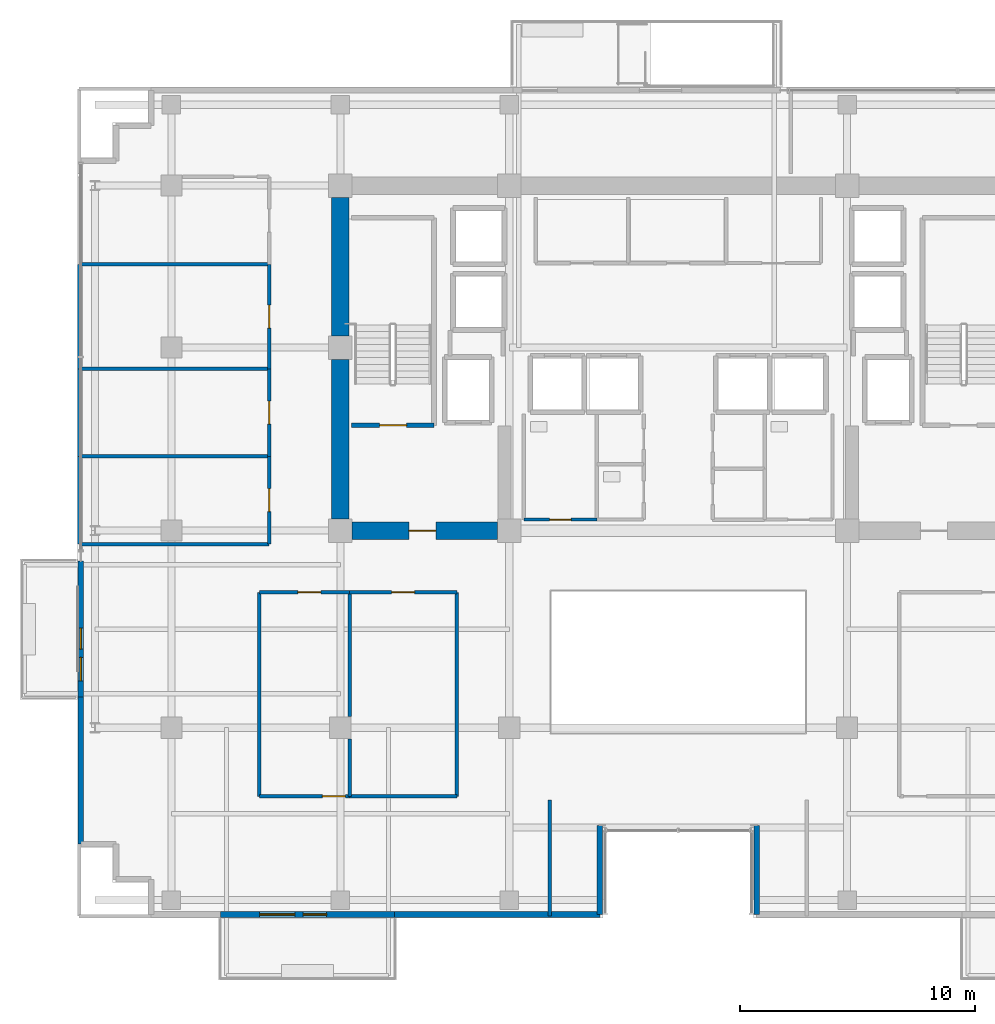
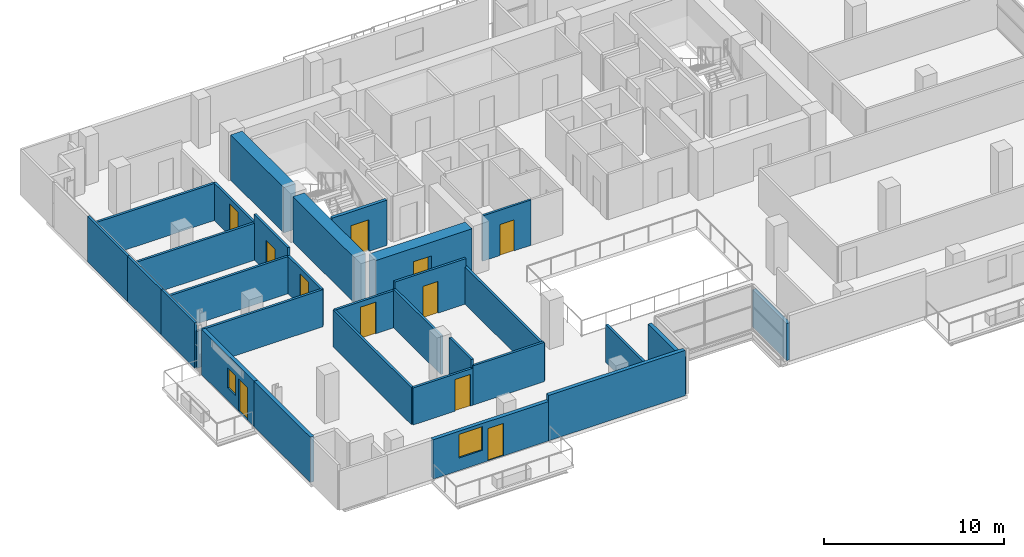
# One storey, part 15 of 23: 30 walls, 11 doors, 2 windows, 13 openings.
"""IFC4 building model written with IfcOpenShell, lengths in metres."""

from ifc_helpers import new_model, si_unit, direction, frame, frame_2d, origin, place, context, subcontext, project, spatial, rectangle, extrude, source, transform, mapped, material, layer, layer_set, type_object, element, fill, save


model = new_model("IFC4")

# Units and contexts
model_context = context("Model", 3, precision=1e-05, world=origin(), true_north=direction((0.0, 1.0)))
body_context = subcontext(model_context, "Body", "Model", "MODEL_VIEW")
ifc_project = project(units=[si_unit("LENGTHUNIT", "METRE"), si_unit("AREAUNIT", "SQUARE_METRE"), si_unit("VOLUMEUNIT", "CUBIC_METRE"), si_unit("PLANEANGLEUNIT", "RADIAN"), si_unit("MASSUNIT", "GRAM", prefix="KILO")], contexts=[model_context])

# Site, building, storey
site_placement = place(None, origin())
site = spatial("IfcSite", under=ifc_project, at=site_placement, CompositionType="ELEMENT")
building_placement = place(site_placement, origin())
building = spatial("IfcBuilding", under=site, at=building_placement, Name="Zarnakvel Exchange Tower", CompositionType="ELEMENT")
storey_placement = place(building_placement, frame((0.0, 0.0, 116.5)))
storey = spatial("IfcBuildingStorey", under=building, at=storey_placement, Name="L32", CompositionType="ELEMENT", Elevation=116.5)

# Walls
ifc_material_1 = material(Name="Concrete C60/75", Category="concrete")
ifc_layer_1 = layer(ifc_material_1, 0.75)
ifc_layer_set_1 = layer_set([ifc_layer_1], Name="Concrete C60/75")
wall_type_1 = type_object("IfcWallType", Name="CW-C3", PredefinedType="SHEAR", material=ifc_layer_set_1)
wall_1_placement = place(storey_placement, frame((-14.39990234375, -0.699951171875, 0.0), z_axis=(0.0, 0.0, 1.0), x_axis=(0.0, 1.0, 0.0)))
element("IfcWall", 1, at=wall_1_placement, inside=storey, type_object=wall_type_1, Name="L32 Rear Core Shear Wall W1 (CW-C3)", PredefinedType="SHEAR", context=body_context, shape_type="SweptSolid", body=[
    extrude(rectangle(XDim=6.800048828125, YDim=0.75, at=frame_2d((3.39990234375, 0.0))), origin(), (0.0, 0.0, 1.0), 3.074951171875),
])
wall_2_placement = place(storey_placement, frame((-14.39990234375, 7.10009765625, 0.0), z_axis=(0.0, 0.0, 1.0), x_axis=(0.0, 1.0, 0.0)))
element("IfcWall", 2, at=wall_2_placement, inside=storey, type_object=wall_type_1, Name="L32 Rear Core Shear Wall W2 (CW-C3)", PredefinedType="SHEAR", context=body_context, shape_type="SweptSolid", body=[
    extrude(rectangle(XDim=5.89990234375, YDim=0.75, at=frame_2d((2.949951171875, 0.0))), origin(), (0.0, 0.0, 1.0), 3.074951171875),
])

# Wall, opening, door
wall_3_placement = place(storey_placement, frame((-7.699951171875, -1.199951171875, 0.0), z_axis=(0.0, 0.0, 1.0), x_axis=(-1.0, 0.0, 0.0)))
wall_3 = element("IfcWall", 3, at=wall_3_placement, inside=storey, type_object=wall_type_1, Name="L32 Rear Core Shear Wall SW (CW-C3)", PredefinedType="SHEAR", context=body_context, shape_type="SweptSolid", body=[
    extrude(rectangle(XDim=6.199951171875, YDim=0.75, at=frame_2d((3.10009765625, 0.0))), origin(), (0.0, 0.0, 1.0), 3.074951171875),
])
opening_1_placement = place(wall_3_placement, frame((2.625, 0.0, 0.0)))
opening_1 = element("IfcOpeningElement", 4, at=opening_1_placement, cuts=wall_3, Name="Opening D-L32-03", PredefinedType="OPENING", context=body_context, shape_type="SweptSolid", body=[
    extrude(rectangle(XDim=1.14990234375, YDim=2.14990234375, at=frame_2d((0.574951171875, 1.074951171875))), frame((0.0, 0.385009765625, 0.0), z_axis=(0.0, -1.0, 0.0), x_axis=(1.0, 0.0, 0.0)), (0.0, 0.0, 1.0), 0.77001953125),
])
ifc_material_2 = material(Name="Painted Galvanised Steel S355", Category="steel")
door_type_1 = type_object("IfcDoorType", Name="DT-04", OperationType="NOTDEFINED", PredefinedType="DOOR", material=ifc_material_2)
shared_shape_1 = source(origin(), body_context, "Body", "SweptSolid", [
    extrude(rectangle(XDim=1.14990234375, YDim=2.14990234375, at=frame_2d((0.574951171875, 1.074951171875))), frame((0.0, 0.02490234375, 0.0), z_axis=(0.0, -1.0, 0.0), x_axis=(1.0, 0.0, 0.0)), (0.0, 0.0, 1.0), 0.050048828125),
])
door_1_placement = place(opening_1_placement, origin())
door_1 = element("IfcDoor", 5, at=door_1_placement, inside=storey, type_object=door_type_1, Name="L32 Firefighting Lobby West Door D-L32-03", OperationType="SINGLE_SWING_LEFT", OverallHeight=2.14990234375, OverallWidth=1.14990234375, PredefinedType="DOOR", context=body_context, shape_type="MappedRepresentation", body=[
    mapped(shared_shape_1, transform((0.0, 0.0, 0.0), x_axis=(1.0, 0.0, 0.0), y_axis=(0.0, 1.0, 0.0), z_axis=(0.0, 0.0, 1.0), scale=1.0)),
])
fill(opening_1, door_1)

# Wall, openings, door, window
ifc_material_3 = material(Name="Precast concrete C40/50", Category="concrete")
ifc_layer_2 = layer(ifc_material_3, 0.239990234375)
ifc_layer_set_2 = layer_set([ifc_layer_2], Name="Precast concrete C40/50")
wall_type_2 = type_object("IfcWallType", Name="EW-02", PredefinedType="SOLIDWALL", material=ifc_layer_set_2)
wall_4_placement = place(storey_placement, frame((-12.10009765625, -17.56005859375, 0.0), z_axis=(0.0, 0.0, 1.0), x_axis=(-1.0, 0.0, 0.0)))
wall_4 = element("IfcWall", 6, at=wall_4_placement, inside=storey, type_object=wall_type_2, Name="L32 Exterior Precast Spandrel Wall EW-BAL-L32-SW (EW-02)", PredefinedType="SOLIDWALL", context=body_context, shape_type="SweptSolid", body=[
    extrude(rectangle(XDim=7.39990234375, YDim=0.239990234375, at=frame_2d((3.699951171875, 0.0))), origin(), (0.0, 0.0, 1.0), 2.6650390625),
])
opening_2_placement = place(wall_4_placement, frame((2.885986328125, 0.0, 0.0)))
opening_2 = element("IfcOpeningElement", 7, at=opening_2_placement, cuts=wall_4, Name="Opening BD-L32-01", PredefinedType="OPENING", context=body_context, shape_type="SweptSolid", body=[
    extrude(rectangle(XDim=1.0, YDim=2.199951171875, at=frame_2d((0.5, 1.10009765625))), frame((0.0, 0.1298828125, 0.0), z_axis=(0.0, -1.0, 0.0), x_axis=(1.0, 0.0, 0.0)), (0.0, 0.0, 1.0), 0.260009765625),
])
opening_3_placement = place(wall_4_placement, frame((4.236083984375, 0.0, 0.85009765625)))
opening_3 = element("IfcOpeningElement", 8, at=opening_3_placement, cuts=wall_4, Name="Opening WN-03", PredefinedType="OPENING", context=body_context, shape_type="SweptSolid", body=[
    extrude(rectangle(XDim=1.5, YDim=1.60009765625, at=frame_2d((0.75, 0.800048828125))), frame((0.0, 0.1298828125, 0.0), z_axis=(0.0, -1.0, 0.0), x_axis=(1.0, 0.0, 0.0)), (0.0, 0.0, 1.0), 0.260009765625),
])
ifc_material_4 = material(Name="Architectural Bronze Anodised Aluminium", Category="aluminium")
door_type_2 = type_object("IfcDoorType", Name="DT-09", OperationType="NOTDEFINED", PredefinedType="DOOR", material=ifc_material_4)
shared_shape_2 = source(origin(), body_context, "Body", "SweptSolid", [
    extrude(rectangle(XDim=1.0, YDim=2.199951171875, at=frame_2d((0.5, 1.10009765625))), frame((0.0, 0.02490234375, 0.0), z_axis=(0.0, -1.0, 0.0), x_axis=(1.0, 0.0, 0.0)), (0.0, 0.0, 1.0), 0.050048828125),
])
door_2_placement = place(opening_2_placement, origin())
door_2 = element("IfcDoor", 9, at=door_2_placement, inside=storey, type_object=door_type_2, Name="L32 Planted Loggia Balcony Door BD-L32-01", OperationType="SINGLE_SWING_RIGHT", OverallHeight=2.199951171875, OverallWidth=1.0, PredefinedType="DOOR", context=body_context, shape_type="MappedRepresentation", body=[
    mapped(shared_shape_2, transform((0.0, 0.0, 0.0), x_axis=(1.0, 0.0, 0.0), y_axis=(0.0, 1.0, 0.0), z_axis=(0.0, 0.0, 1.0), scale=1.0)),
])
fill(opening_2, door_2)
ifc_material_5 = material(Name="Double Low-E Laminated Vision Glass", Category="glass")
window_type_1 = type_object("IfcWindowType", Name="WN-03", PartitioningType="SINGLE_PANEL", PredefinedType="WINDOW", material=ifc_material_5)
shared_shape_3 = source(origin(), body_context, "Body", "SweptSolid", [
    extrude(rectangle(XDim=1.5, YDim=1.60009765625, at=frame_2d((0.75, 0.800048828125))), frame((0.0, 0.030029296875, 0.0), z_axis=(0.0, -1.0, 0.0), x_axis=(1.0, 0.0, 0.0)), (0.0, 0.0, 1.0), 0.06005859375),
])
window_1_placement = place(opening_3_placement, origin())
window_1 = element("IfcWindow", 10, at=window_1_placement, inside=storey, type_object=window_type_1, Name="L32 Loggia Daylight Window (WN-03)", OverallHeight=1.60009765625, OverallWidth=1.5, PartitioningType="SINGLE_PANEL", PredefinedType="WINDOW", context=body_context, shape_type="MappedRepresentation", body=[
    mapped(shared_shape_3, transform((0.0, 0.0, 0.0), x_axis=(1.0, 0.0, 0.0), y_axis=(0.0, 1.0, 0.0), z_axis=(0.0, 0.0, 1.0), scale=1.0)),
])
fill(opening_3, window_1)

wall_5_placement = place(storey_placement, frame((-25.4599609375, -8.300048828125, 0.0), z_axis=(0.0, 0.0, 1.0), x_axis=(0.0, 1.0, 0.0)))
wall_5 = element("IfcWall", 11, at=wall_5_placement, inside=storey, type_object=wall_type_2, Name="L32 Exterior Precast Spandrel Wall EW-BAL-L32-W (EW-02)", PredefinedType="SOLIDWALL", context=body_context, shape_type="SweptSolid", body=[
    extrude(rectangle(XDim=5.800048828125, YDim=0.239990234375, at=frame_2d((2.89990234375, 0.0))), origin(), (0.0, 0.0, 1.0), 3.074951171875),
])
opening_4_placement = place(wall_5_placement, frame((0.696044921875, 0.0, 0.0)))
opening_4 = element("IfcOpeningElement", 12, at=opening_4_placement, cuts=wall_5, Name="Opening BD-L32-03", PredefinedType="OPENING", context=body_context, shape_type="SweptSolid", body=[
    extrude(rectangle(XDim=1.0, YDim=2.199951171875, at=frame_2d((0.5, 1.10009765625))), frame((0.0, 0.1298828125, 0.0), z_axis=(0.0, -1.0, 0.0), x_axis=(1.0, 0.0, 0.0)), (0.0, 0.0, 1.0), 0.260009765625),
])
opening_5_placement = place(wall_5_placement, frame((2.0458984375, 0.0, 0.85009765625)))
opening_5 = element("IfcOpeningElement", 13, at=opening_5_placement, cuts=wall_5, Name="Opening WN-06", PredefinedType="OPENING", context=body_context, shape_type="SweptSolid", body=[
    extrude(rectangle(XDim=0.89990234375, YDim=1.35009765625, at=frame_2d((0.449951171875, 0.675048828125))), frame((0.0, 0.1298828125, 0.0), z_axis=(0.0, -1.0, 0.0), x_axis=(1.0, 0.0, 0.0)), (0.0, 0.0, 1.0), 0.260009765625),
])
door_3_placement = place(opening_4_placement, origin())
door_3 = element("IfcDoor", 14, at=door_3_placement, inside=storey, type_object=door_type_2, Name="L32 Planted Loggia Balcony Door BD-L32-03", OperationType="SINGLE_SWING_RIGHT", OverallHeight=2.199951171875, OverallWidth=1.0, PredefinedType="DOOR", context=body_context, shape_type="MappedRepresentation", body=[
    mapped(shared_shape_2, transform((0.0, 0.0, 0.0), x_axis=(1.0, 0.0, 0.0), y_axis=(0.0, 1.0, 0.0), z_axis=(0.0, 0.0, 1.0), scale=1.0)),
])
fill(opening_4, door_3)
window_type_2 = type_object("IfcWindowType", Name="WN-06", PartitioningType="SINGLE_PANEL", PredefinedType="WINDOW", material=ifc_material_5)
shared_shape_4 = source(origin(), body_context, "Body", "SweptSolid", [
    extrude(rectangle(XDim=0.89990234375, YDim=1.35009765625, at=frame_2d((0.449951171875, 0.675048828125))), frame((0.0, 0.030029296875, 0.0), z_axis=(0.0, -1.0, 0.0), x_axis=(1.0, 0.0, 0.0)), (0.0, 0.0, 1.0), 0.06005859375),
])
window_2_placement = place(opening_5_placement, origin())
window_2 = element("IfcWindow", 15, at=window_2_placement, inside=storey, type_object=window_type_2, Name="L32 Loggia Daylight Window (WN-06)", OverallHeight=1.35009765625, OverallWidth=0.89990234375, PartitioningType="SINGLE_PANEL", PredefinedType="WINDOW", context=body_context, shape_type="MappedRepresentation", body=[
    mapped(shared_shape_4, transform((0.0, 0.0, 0.0), x_axis=(1.0, 0.0, 0.0), y_axis=(0.0, 1.0, 0.0), z_axis=(0.0, 0.0, 1.0), scale=1.0)),
])
fill(opening_5, window_2)

# Walls
wall_6_placement = place(storey_placement, frame((-25.4599609375, -8.300048828125, 0.0), z_axis=(0.0, 0.0, 1.0), x_axis=(0.0, -1.0, 0.0)))
element("IfcWall", 16, at=wall_6_placement, inside=storey, type_object=wall_type_2, Name="L32 Exterior Precast Spandrel Wall EWC-L32-01 (EW-02)", PredefinedType="SOLIDWALL", context=body_context, shape_type="SweptSolid", body=[
    extrude(rectangle(XDim=6.260009765625, YDim=0.239990234375, at=frame_2d((3.1298828125, 0.0))), origin(), (0.0, 0.0, 1.0), 3.074951171875),
])
for number, where, z_axis, x_axis, name in (
    (17, (3.340087890625, -13.760009765625, 0.0), (0.0, 0.0, 1.0), (0.0, -1.0, 0.0), "L32 Exterior Precast Spandrel Wall EWC-L32-19 (EW-02)"),
    (18, (-3.340087890625, -17.56005859375, 0.0), (0.0, 0.0, 1.0), (0.0, 1.0, 0.0), "L32 Exterior Precast Spandrel Wall EWC-L32-22 (EW-02)"),
):
    element("IfcWall", number, at=place(storey_placement, frame(where, z_axis=z_axis, x_axis=x_axis)), inside=storey, type_object=wall_type_2, Name=name, PredefinedType="SOLIDWALL", context=body_context, shape_type="SweptSolid", body=[
        extrude(rectangle(XDim=3.800048828125, YDim=0.239990234375, at=frame_2d((1.89990234375, 0.0))), origin(), (0.0, 0.0, 1.0), 2.514892578125),
    ])
wall_7_placement = place(storey_placement, frame((-12.10009765625, -17.56005859375, 0.0), z_axis=(0.0, 0.0, 1.0), x_axis=(1.0, 0.0, 0.0)))
element("IfcWall", 19, at=wall_7_placement, inside=storey, type_object=wall_type_2, Name="L32 Exterior Precast Spandrel Wall EWC-L32-23 (EW-02)", PredefinedType="SOLIDWALL", context=body_context, shape_type="SweptSolid", body=[
    extrude(rectangle(XDim=8.760009765625, YDim=0.239990234375, at=frame_2d((4.3798828125, 0.0))), origin(), (0.0, 0.0, 1.0), 3.074951171875),
])

# Wall, opening, door
ifc_material_6 = material(Name="Fire-Rated Gypsum Stud Partition", Category="gypsum")
ifc_layer_3 = layer(ifc_material_6, 0.14990234375)
ifc_layer_set_3 = layer_set([ifc_layer_3], Name="Fire-Rated Gypsum Stud Partition")
wall_type_3 = type_object("IfcWallType", Name="PT-01", PredefinedType="PARTITIONING", material=ifc_layer_set_3)
wall_8_placement = place(storey_placement, frame((-14.007080078125, -12.52001953125, 0.0), z_axis=(0.0, 0.0, 1.0), x_axis=(-1.0, 0.0, 0.0)))
wall_8 = element("IfcWall", 20, at=wall_8_placement, inside=storey, type_object=wall_type_3, Name="L32 Partition Wall PWALL-L32-033 (PT-01)", PredefinedType="PARTITIONING", context=body_context, shape_type="SweptSolid", body=[
    extrude(rectangle(XDim=3.8408203125, YDim=0.14990234375, at=frame_2d((1.92041015625, 0.0))), origin(), (0.0, 0.0, 1.0), 2.514892578125),
])
opening_6_placement = place(wall_8_placement, frame((0.179931640625, 0.0, 0.0)))
opening_6 = element("IfcOpeningElement", 21, at=opening_6_placement, cuts=wall_8, Name="Opening D-L32-16", PredefinedType="OPENING", context=body_context, shape_type="SweptSolid", body=[
    extrude(rectangle(XDim=0.97998046875, YDim=2.14990234375, at=frame_2d((0.489990234375, 1.074951171875))), frame((0.0, 0.0849609375, 0.0), z_axis=(0.0, -1.0, 0.0), x_axis=(1.0, 0.0, 0.0)), (0.0, 0.0, 1.0), 0.169921875),
])
ifc_material_7 = material(Name="Timber Acoustic Veneer", Category="wood")
door_type_3 = type_object("IfcDoorType", Name="DT-05", OperationType="NOTDEFINED", PredefinedType="DOOR", material=ifc_material_7)
shared_shape_5 = source(origin(), body_context, "Body", "SweptSolid", [
    extrude(rectangle(XDim=0.97998046875, YDim=2.14990234375, at=frame_2d((0.489990234375, 1.074951171875))), frame((0.0, 0.02490234375, 0.0), z_axis=(0.0, -1.0, 0.0), x_axis=(1.0, 0.0, 0.0)), (0.0, 0.0, 1.0), 0.050048828125),
])
door_4_placement = place(opening_6_placement, origin())
door_4 = element("IfcDoor", 22, at=door_4_placement, inside=storey, type_object=door_type_3, Name="L32 Commodities Dealing Room Door D-L32-16", OperationType="SINGLE_SWING_RIGHT", OverallHeight=2.14990234375, OverallWidth=0.97998046875, PredefinedType="DOOR", context=body_context, shape_type="MappedRepresentation", body=[
    mapped(shared_shape_5, transform((0.0, 0.0, 0.0), x_axis=(1.0, 0.0, 0.0), y_axis=(0.0, 1.0, 0.0), z_axis=(0.0, 0.0, 1.0), scale=1.0)),
])
fill(opening_6, door_4)

wall_9_placement = place(storey_placement, frame((-17.847900390625, -3.830078125, 0.0), z_axis=(0.0, 0.0, 1.0), x_axis=(1.0, 0.0, 0.0)))
wall_9 = element("IfcWall", 23, at=wall_9_placement, inside=storey, type_object=wall_type_3, Name="L32 Partition Wall PWALL-L32-034 (PT-01)", PredefinedType="PARTITIONING", context=body_context, shape_type="SweptSolid", body=[
    extrude(rectangle(XDim=3.8408203125, YDim=0.14990234375, at=frame_2d((1.92041015625, 0.0))), origin(), (0.0, 0.0, 1.0), 2.514892578125),
])
opening_7_placement = place(wall_9_placement, frame((1.638916015625, 0.0, 0.0)))
opening_7 = element("IfcOpeningElement", 24, at=opening_7_placement, cuts=wall_9, Name="Opening D-L32-14", PredefinedType="OPENING", context=body_context, shape_type="SweptSolid", body=[
    extrude(rectangle(XDim=0.97998046875, YDim=2.14990234375, at=frame_2d((0.489990234375, 1.074951171875))), frame((0.0, 0.0849609375, 0.0), z_axis=(0.0, -1.0, 0.0), x_axis=(1.0, 0.0, 0.0)), (0.0, 0.0, 1.0), 0.169921875),
])
door_5_placement = place(opening_7_placement, origin())
door_5 = element("IfcDoor", 25, at=door_5_placement, inside=storey, type_object=door_type_3, Name="L32 Seminar Room Door D-L32-14", OperationType="SINGLE_SWING_RIGHT", OverallHeight=2.14990234375, OverallWidth=0.97998046875, PredefinedType="DOOR", context=body_context, shape_type="MappedRepresentation", body=[
    mapped(shared_shape_5, transform((0.0, 0.0, 0.0), x_axis=(1.0, 0.0, 0.0), y_axis=(0.0, 1.0, 0.0), z_axis=(0.0, 0.0, 1.0), scale=1.0)),
])
fill(opening_7, door_5)

# Walls
wall_10_placement = place(storey_placement, frame((-17.847900390625, -12.52001953125, 0.0), z_axis=(0.0, 0.0, 1.0), x_axis=(0.0, 1.0, 0.0)))
element("IfcWall", 26, at=wall_10_placement, inside=storey, type_object=wall_type_3, Name="L32 Partition Wall PWALL-L32-035 (PT-01)", PredefinedType="PARTITIONING", context=body_context, shape_type="SweptSolid", body=[
    extrude(rectangle(XDim=8.68994140625, YDim=0.14990234375, at=frame_2d((4.344970703125, 0.0))), origin(), (0.0, 0.0, 1.0), 2.514892578125),
])
wall_11_placement = place(storey_placement, frame((-14.007080078125, -3.830078125, 0.0), z_axis=(0.0, 0.0, 1.0), x_axis=(0.0, -1.0, 0.0)))
element("IfcWall", 27, at=wall_11_placement, inside=storey, type_object=wall_type_3, Name="L32 Partition Wall PWALL-L32-036 (PT-01)", PredefinedType="PARTITIONING", context=body_context, shape_type="SweptSolid", body=[
    extrude(rectangle(XDim=5.2998046875, YDim=0.14990234375, at=frame_2d((2.64990234375, 0.0))), origin(), (0.0, 0.0, 1.0), 2.614990234375),
])
wall_12_placement = place(storey_placement, frame((-9.429931640625, -12.52001953125, 0.0), z_axis=(0.0, 0.0, 1.0), x_axis=(-1.0, 0.0, 0.0)))
element("IfcWall", 28, at=wall_12_placement, inside=storey, type_object=wall_type_3, Name="L32 Partition Wall PWALL-L32-037 (PT-01)", PredefinedType="PARTITIONING", context=body_context, shape_type="SweptSolid", body=[
    extrude(rectangle(XDim=4.5771484375, YDim=0.14990234375, at=frame_2d((2.28857421875, 0.0))), origin(), (0.0, 0.0, 1.0), 2.6650390625),
])

# Wall, opening, door
wall_13_placement = place(storey_placement, frame((-14.007080078125, -3.830078125, 0.0), z_axis=(0.0, 0.0, 1.0), x_axis=(1.0, 0.0, 0.0)))
wall_13 = element("IfcWall", 29, at=wall_13_placement, inside=storey, type_object=wall_type_3, Name="L32 Partition Wall PWALL-L32-038 (PT-01)", PredefinedType="PARTITIONING", context=body_context, shape_type="SweptSolid", body=[
    extrude(rectangle(XDim=4.5771484375, YDim=0.14990234375, at=frame_2d((2.28857421875, 0.0))), origin(), (0.0, 0.0, 1.0), 3.074951171875),
])
opening_8_placement = place(wall_13_placement, frame((1.799072265625, 0.0, 0.0)))
opening_8 = element("IfcOpeningElement", 30, at=opening_8_placement, cuts=wall_13, Name="Opening D-L32-15", PredefinedType="OPENING", context=body_context, shape_type="SweptSolid", body=[
    extrude(rectangle(XDim=0.97998046875, YDim=2.14990234375, at=frame_2d((0.489990234375, 1.074951171875))), frame((0.0, 0.0849609375, 0.0), z_axis=(0.0, -1.0, 0.0), x_axis=(1.0, 0.0, 0.0)), (0.0, 0.0, 1.0), 0.169921875),
])
door_6_placement = place(opening_8_placement, origin())
door_6 = element("IfcDoor", 31, at=door_6_placement, inside=storey, type_object=door_type_3, Name="L32 Boardroom Door D-L32-15", OperationType="SINGLE_SWING_LEFT", OverallHeight=2.14990234375, OverallWidth=0.97998046875, PredefinedType="DOOR", context=body_context, shape_type="MappedRepresentation", body=[
    mapped(shared_shape_5, transform((0.0, 0.0, 0.0), x_axis=(1.0, 0.0, 0.0), y_axis=(0.0, 1.0, 0.0), z_axis=(0.0, 0.0, 1.0), scale=1.0)),
])
fill(opening_8, door_6)

# Walls
wall_14_placement = place(storey_placement, frame((-14.007080078125, -12.52001953125, 0.0), z_axis=(0.0, 0.0, 1.0), x_axis=(0.0, 1.0, 0.0)))
element("IfcWall", 32, at=wall_14_placement, inside=storey, type_object=wall_type_3, Name="L32 Partition Wall PWALL-L32-039 (PT-01)", PredefinedType="PARTITIONING", context=body_context, shape_type="SweptSolid", body=[
    extrude(rectangle(XDim=2.449951171875, YDim=0.14990234375, at=frame_2d((1.22509765625, 0.0))), origin(), (0.0, 0.0, 1.0), 3.074951171875),
])
wall_15_placement = place(storey_placement, frame((-9.429931640625, -3.830078125, 0.0), z_axis=(0.0, 0.0, 1.0), x_axis=(0.0, -1.0, 0.0)))
element("IfcWall", 33, at=wall_15_placement, inside=storey, type_object=wall_type_3, Name="L32 Partition Wall PWALL-L32-040 (PT-01)", PredefinedType="PARTITIONING", context=body_context, shape_type="SweptSolid", body=[
    extrude(rectangle(XDim=8.68994140625, YDim=0.14990234375, at=frame_2d((4.344970703125, 0.0))), origin(), (0.0, 0.0, 1.0), 2.514892578125),
])
wall_16_placement = place(storey_placement, frame((-5.47998046875, -12.679931640625, 0.0), z_axis=(0.0, 0.0, 1.0), x_axis=(0.0, -1.0, 0.0)))
element("IfcWall", 34, at=wall_16_placement, inside=storey, type_object=wall_type_3, Name="L32 Partition Wall PWALL-L32-043 (PT-01)", PredefinedType="PARTITIONING", context=body_context, shape_type="SweptSolid", body=[
    extrude(rectangle(XDim=4.949951171875, YDim=0.14990234375, at=frame_2d((2.47509765625, 0.0))), origin(), (0.0, 0.0, 1.0), 2.56494140625),
])
for number, where, z_axis, x_axis, name in (
    (35, (-17.429931640625, -1.77001953125, 0.0), (0.0, 0.0, 1.0), (-1.0, 0.0, 0.0), "L32 Partition Wall PWALL-L32-051 (PT-01)"),
    (36, (-25.530029296875, 1.9638671875, 0.0), (0.0, 0.0, 1.0), (1.0, 0.0, 0.0), "L32 Partition Wall PWALL-L32-052 (PT-01)"),
):
    element("IfcWall", number, at=place(storey_placement, frame(where, z_axis=z_axis, x_axis=x_axis)), inside=storey, type_object=wall_type_3, Name=name, PredefinedType="PARTITIONING", context=body_context, shape_type="SweptSolid", body=[
        extrude(rectangle(XDim=8.10009765625, YDim=0.14990234375, at=frame_2d((4.050048828125, 0.0))), origin(), (0.0, 0.0, 1.0), 2.514892578125),
    ])
wall_17_placement = place(storey_placement, frame((-25.530029296875, -1.77001953125, 0.0), z_axis=(0.0, 0.0, 1.0), x_axis=(0.0, 1.0, 0.0)))
element("IfcWall", 37, at=wall_17_placement, inside=storey, type_object=wall_type_3, Name="L32 Partition Wall PWALL-L32-053 (PT-01)", PredefinedType="PARTITIONING", context=body_context, shape_type="SweptSolid", body=[
    extrude(rectangle(XDim=3.73388671875, YDim=0.14990234375, at=frame_2d((1.866943359375, 0.0))), origin(), (0.0, 0.0, 1.0), 3.074951171875),
])

# Wall, opening, door
wall_18_placement = place(storey_placement, frame((-17.429931640625, 1.9638671875, 0.0), z_axis=(0.0, 0.0, 1.0), x_axis=(0.0, -1.0, 0.0)))
wall_18 = element("IfcWall", 38, at=wall_18_placement, inside=storey, type_object=wall_type_3, Name="L32 Partition Wall PWALL-L32-054 (PT-01)", PredefinedType="PARTITIONING", context=body_context, shape_type="SweptSolid", body=[
    extrude(rectangle(XDim=3.73388671875, YDim=0.14990234375, at=frame_2d((1.866943359375, 0.0))), origin(), (0.0, 0.0, 1.0), 2.514892578125),
])
opening_9_placement = place(wall_18_placement, frame((1.376708984375, 0.0, 0.0)))
opening_9 = element("IfcOpeningElement", 39, at=opening_9_placement, cuts=wall_18, Name="Opening D-L32-19", PredefinedType="OPENING", context=body_context, shape_type="SweptSolid", body=[
    extrude(rectangle(XDim=0.97998046875, YDim=2.14990234375, at=frame_2d((0.489990234375, 1.074951171875))), frame((0.0, 0.0849609375, 0.0), z_axis=(0.0, -1.0, 0.0), x_axis=(1.0, 0.0, 0.0)), (0.0, 0.0, 1.0), 0.169921875),
])
door_7_placement = place(opening_9_placement, origin())
door_7 = element("IfcDoor", 40, at=door_7_placement, inside=storey, type_object=door_type_3, Name="L32 Boardroom Door D-L32-19", OperationType="SINGLE_SWING_LEFT", OverallHeight=2.14990234375, OverallWidth=0.97998046875, PredefinedType="DOOR", context=body_context, shape_type="MappedRepresentation", body=[
    mapped(shared_shape_5, transform((0.0, 0.0, 0.0), x_axis=(1.0, 0.0, 0.0), y_axis=(0.0, 1.0, 0.0), z_axis=(0.0, 0.0, 1.0), scale=1.0)),
])
fill(opening_9, door_7)

# Walls
wall_19_placement = place(storey_placement, frame((-25.530029296875, 5.697509765625, 0.0), z_axis=(0.0, 0.0, 1.0), x_axis=(1.0, 0.0, 0.0)))
element("IfcWall", 41, at=wall_19_placement, inside=storey, type_object=wall_type_3, Name="L32 Partition Wall PWALL-L32-055 (PT-01)", PredefinedType="PARTITIONING", context=body_context, shape_type="SweptSolid", body=[
    extrude(rectangle(XDim=8.10009765625, YDim=0.14990234375, at=frame_2d((4.050048828125, 0.0))), origin(), (0.0, 0.0, 1.0), 2.514892578125),
])
wall_20_placement = place(storey_placement, frame((-25.530029296875, 1.9638671875, 0.0), z_axis=(0.0, 0.0, 1.0), x_axis=(0.0, 1.0, 0.0)))
element("IfcWall", 42, at=wall_20_placement, inside=storey, type_object=wall_type_3, Name="L32 Partition Wall PWALL-L32-056 (PT-01)", PredefinedType="PARTITIONING", context=body_context, shape_type="SweptSolid", body=[
    extrude(rectangle(XDim=3.733642578125, YDim=0.14990234375, at=frame_2d((1.86669921875, 0.0))), origin(), (0.0, 0.0, 1.0), 3.074951171875),
])

# Wall, opening, door
wall_21_placement = place(storey_placement, frame((-17.429931640625, 5.697509765625, 0.0), z_axis=(0.0, 0.0, 1.0), x_axis=(0.0, -1.0, 0.0)))
wall_21 = element("IfcWall", 43, at=wall_21_placement, inside=storey, type_object=wall_type_3, Name="L32 Partition Wall PWALL-L32-057 (PT-01)", PredefinedType="PARTITIONING", context=body_context, shape_type="SweptSolid", body=[
    extrude(rectangle(XDim=3.733642578125, YDim=0.14990234375, at=frame_2d((1.86669921875, 0.0))), origin(), (0.0, 0.0, 1.0), 3.074951171875),
])
opening_10_placement = place(wall_21_placement, frame((1.376708984375, 0.0, 0.0)))
opening_10 = element("IfcOpeningElement", 44, at=opening_10_placement, cuts=wall_21, Name="Opening D-L32-20", PredefinedType="OPENING", context=body_context, shape_type="SweptSolid", body=[
    extrude(rectangle(XDim=0.97998046875, YDim=2.14990234375, at=frame_2d((0.489990234375, 1.074951171875))), frame((0.0, 0.0849609375, 0.0), z_axis=(0.0, -1.0, 0.0), x_axis=(1.0, 0.0, 0.0)), (0.0, 0.0, 1.0), 0.169921875),
])
door_8_placement = place(opening_10_placement, origin())
door_8 = element("IfcDoor", 45, at=door_8_placement, inside=storey, type_object=door_type_3, Name="L32 Tea Pantry Door D-L32-20", OperationType="SINGLE_SWING_RIGHT", OverallHeight=2.14990234375, OverallWidth=0.97998046875, PredefinedType="DOOR", context=body_context, shape_type="MappedRepresentation", body=[
    mapped(shared_shape_5, transform((0.0, 0.0, 0.0), x_axis=(1.0, 0.0, 0.0), y_axis=(0.0, 1.0, 0.0), z_axis=(0.0, 0.0, 1.0), scale=1.0)),
])
fill(opening_10, door_8)

# Walls
wall_22_placement = place(storey_placement, frame((-25.530029296875, 10.146240234375, 0.0), z_axis=(0.0, 0.0, 1.0), x_axis=(1.0, 0.0, 0.0)))
element("IfcWall", 46, at=wall_22_placement, inside=storey, type_object=wall_type_3, Name="L32 Partition Wall PWALL-L32-058 (PT-01)", PredefinedType="PARTITIONING", context=body_context, shape_type="SweptSolid", body=[
    extrude(rectangle(XDim=8.10009765625, YDim=0.14990234375, at=frame_2d((4.050048828125, 0.0))), origin(), (0.0, 0.0, 1.0), 2.514892578125),
])
wall_23_placement = place(storey_placement, frame((-25.530029296875, 5.697509765625, 0.0), z_axis=(0.0, 0.0, 1.0), x_axis=(0.0, 1.0, 0.0)))
element("IfcWall", 47, at=wall_23_placement, inside=storey, type_object=wall_type_3, Name="L32 Partition Wall PWALL-L32-059 (PT-01)", PredefinedType="PARTITIONING", context=body_context, shape_type="SweptSolid", body=[
    extrude(rectangle(XDim=4.44873046875, YDim=0.14990234375, at=frame_2d((2.224365234375, 0.0))), origin(), (0.0, 0.0, 1.0), 3.074951171875),
])

# Wall, opening, door
wall_24_placement = place(storey_placement, frame((-17.429931640625, 10.146240234375, 0.0), z_axis=(0.0, 0.0, 1.0), x_axis=(0.0, -1.0, 0.0)))
wall_24 = element("IfcWall", 48, at=wall_24_placement, inside=storey, type_object=wall_type_3, Name="L32 Partition Wall PWALL-L32-060 (PT-01)", PredefinedType="PARTITIONING", context=body_context, shape_type="SweptSolid", body=[
    extrude(rectangle(XDim=4.44873046875, YDim=0.14990234375, at=frame_2d((2.224365234375, 0.0))), origin(), (0.0, 0.0, 1.0), 2.514892578125),
])
opening_11_placement = place(wall_24_placement, frame((1.734130859375, 0.0, 0.0)))
opening_11 = element("IfcOpeningElement", 49, at=opening_11_placement, cuts=wall_24, Name="Opening D-L32-21", PredefinedType="OPENING", context=body_context, shape_type="SweptSolid", body=[
    extrude(rectangle(XDim=0.97998046875, YDim=2.14990234375, at=frame_2d((0.489990234375, 1.074951171875))), frame((0.0, 0.0849609375, 0.0), z_axis=(0.0, -1.0, 0.0), x_axis=(1.0, 0.0, 0.0)), (0.0, 0.0, 1.0), 0.169921875),
])
door_9_placement = place(opening_11_placement, origin())
door_9 = element("IfcDoor", 50, at=door_9_placement, inside=storey, type_object=door_type_3, Name="L32 Fintech Workspace Door D-L32-21", OperationType="SINGLE_SWING_LEFT", OverallHeight=2.14990234375, OverallWidth=0.97998046875, PredefinedType="DOOR", context=body_context, shape_type="MappedRepresentation", body=[
    mapped(shared_shape_5, transform((0.0, 0.0, 0.0), x_axis=(1.0, 0.0, 0.0), y_axis=(0.0, 1.0, 0.0), z_axis=(0.0, 0.0, 1.0), scale=1.0)),
])
fill(opening_11, door_9)

ifc_material_8 = material(Name="Moisture-Resistant Tile-Faced Partition", Category="gypsum")
ifc_layer_4 = layer(ifc_material_8, 0.135009765625)
ifc_layer_set_4 = layer_set([ifc_layer_4], Name="Moisture-Resistant Tile-Faced Partition")
wall_type_4 = type_object("IfcWallType", Name="PT-03", PredefinedType="PARTITIONING", material=ifc_layer_set_4)
wall_25_placement = place(storey_placement, frame((-3.469970703125, -0.72998046875, 0.0), z_axis=(0.0, 0.0, 1.0), x_axis=(-1.0, 0.0, 0.0)))
wall_25 = element("IfcWall", 51, at=wall_25_placement, inside=storey, type_object=wall_type_4, Name="L32 Partition Wall PWALL-L32-018 (PT-03)", PredefinedType="PARTITIONING", context=body_context, shape_type="SweptSolid", body=[
    extrude(rectangle(XDim=3.110107421875, YDim=0.135009765625, at=frame_2d((1.55517578125, 0.0))), origin(), (0.0, 0.0, 1.0), 3.074951171875),
])
opening_12_placement = place(wall_25_placement, frame((1.090087890625, 0.0, 0.0)))
opening_12 = element("IfcOpeningElement", 52, at=opening_12_placement, cuts=wall_25, Name="Opening D-L32-08", PredefinedType="OPENING", context=body_context, shape_type="SweptSolid", body=[
    extrude(rectangle(XDim=0.919921875, YDim=2.10009765625, at=frame_2d((0.4599609375, 1.050048828125))), frame((0.0, 0.077392578125, 0.0), z_axis=(0.0, -1.0, 0.0), x_axis=(1.0, 0.0, 0.0)), (0.0, 0.0, 1.0), 0.155029296875),
])
ifc_material_9 = material(Name="Moisture-Resistant Laminate Timber", Category="wood")
door_type_4 = type_object("IfcDoorType", Name="DT-07", OperationType="NOTDEFINED", PredefinedType="DOOR", material=ifc_material_9)
shared_shape_6 = source(origin(), body_context, "Body", "SweptSolid", [
    extrude(rectangle(XDim=0.919921875, YDim=2.10009765625, at=frame_2d((0.4599609375, 1.050048828125))), frame((0.0, 0.02490234375, 0.0), z_axis=(0.0, -1.0, 0.0), x_axis=(1.0, 0.0, 0.0)), (0.0, 0.0, 1.0), 0.050048828125),
])
door_10_placement = place(opening_12_placement, origin())
door_10 = element("IfcDoor", 53, at=door_10_placement, inside=storey, type_object=door_type_4, Name="L32 Male Toilet Door D-L32-08", OperationType="SINGLE_SWING_RIGHT", OverallHeight=2.10009765625, OverallWidth=0.919921875, PredefinedType="DOOR", context=body_context, shape_type="MappedRepresentation", body=[
    mapped(shared_shape_6, transform((0.0, 0.0, 0.0), x_axis=(1.0, 0.0, 0.0), y_axis=(0.0, 1.0, 0.0), z_axis=(0.0, 0.0, 1.0), scale=1.0)),
])
fill(opening_12, door_10)

ifc_material_10 = material(Name="Concrete C40/50", Category="concrete")
ifc_layer_5 = layer(ifc_material_10, 0.199951171875)
ifc_layer_set_5 = layer_set([ifc_layer_5], Name="Concrete C40/50")
wall_type_5 = type_object("IfcWallType", Name="SW-02", PredefinedType="SOLIDWALL", material=ifc_layer_set_5)
wall_26_placement = place(storey_placement, frame((-10.409912109375, 3.2900390625, 0.0), z_axis=(0.0, 0.0, 1.0), x_axis=(-1.0, 0.0, 0.0)))
wall_26 = element("IfcWall", 54, at=wall_26_placement, inside=storey, type_object=wall_type_5, Name="L32 Stairwell Core Wall PWALL-L32-001 (SW-02)", PredefinedType="SOLIDWALL", context=body_context, shape_type="SweptSolid", body=[
    extrude(rectangle(XDim=3.52001953125, YDim=0.199951171875, at=frame_2d((1.760009765625, 0.0))), origin(), (0.0, 0.0, 1.0), 3.074951171875),
])
opening_13_placement = place(wall_26_placement, frame((1.1650390625, 0.0, 0.0)))
opening_13 = element("IfcOpeningElement", 55, at=opening_13_placement, cuts=wall_26, Name="Opening D-L32-01", PredefinedType="OPENING", context=body_context, shape_type="SweptSolid", body=[
    extrude(rectangle(XDim=1.14990234375, YDim=2.14990234375, at=frame_2d((0.574951171875, 1.074951171875))), frame((0.0, 0.10986328125, 0.0), z_axis=(0.0, -1.0, 0.0), x_axis=(1.0, 0.0, 0.0)), (0.0, 0.0, 1.0), 0.219970703125),
])
door_11_placement = place(opening_13_placement, origin())
door_11 = element("IfcDoor", 56, at=door_11_placement, inside=storey, type_object=door_type_1, Name="L32 Stairwell ST-01 Door D-L32-01", OperationType="SINGLE_SWING_LEFT", OverallHeight=2.14990234375, OverallWidth=1.14990234375, PredefinedType="DOOR", context=body_context, shape_type="MappedRepresentation", body=[
    mapped(shared_shape_1, transform((0.0, 0.0, 0.0), x_axis=(1.0, 0.0, 0.0), y_axis=(0.0, 1.0, 0.0), z_axis=(0.0, 0.0, 1.0), scale=1.0)),
])
fill(opening_13, door_11)

save(model, "model.ifc")
